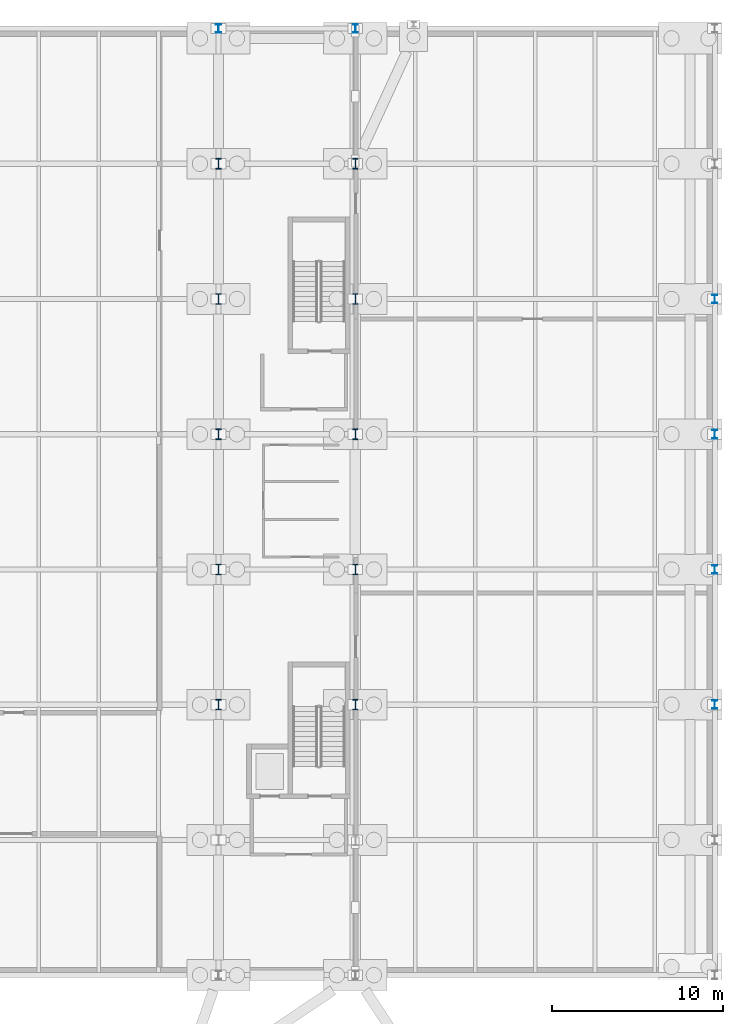
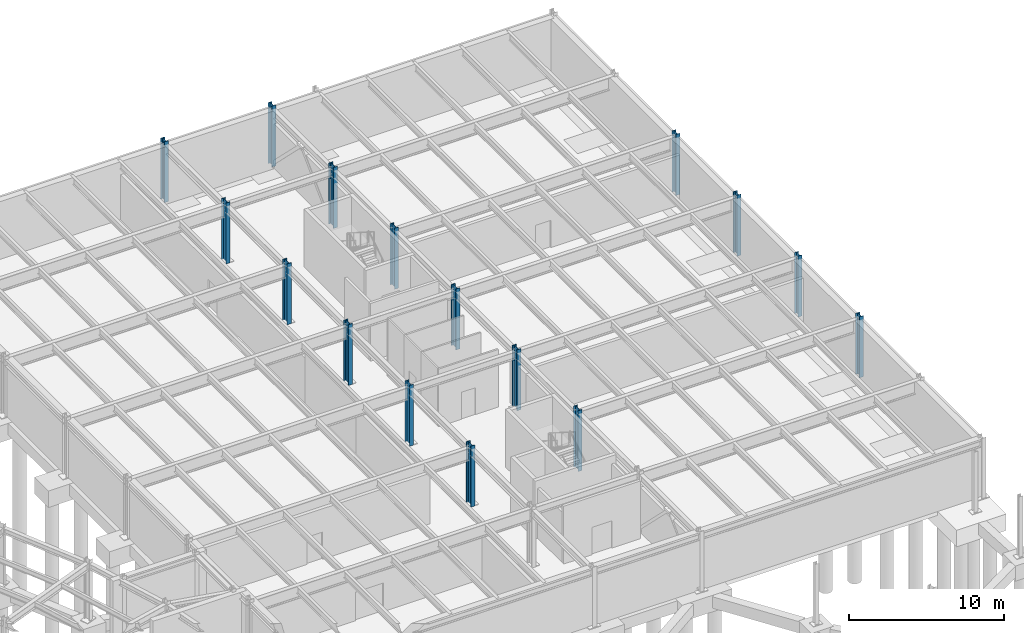
# One storey, part 26 of 50: 16 columns.
"""IFC4 building model written with IfcOpenShell, lengths in metres."""

from ifc_helpers import new_model, si_unit, direction, frame, origin, origin_2d, place, context, subcontext, project, spatial, i_section, extrude, material, material_profile, profile_set, type_object, element, save


model = new_model("IFC4")

# Units and contexts
model_context = context("Model", 3, precision=1e-05, world=origin(), true_north=direction((0.0, 1.0)))
body_context = subcontext(model_context, "Body", "Model", "MODEL_VIEW")
ifc_project = project(units=[si_unit("LENGTHUNIT", "METRE"), si_unit("AREAUNIT", "SQUARE_METRE"), si_unit("VOLUMEUNIT", "CUBIC_METRE"), si_unit("PLANEANGLEUNIT", "RADIAN"), si_unit("MASSUNIT", "GRAM", prefix="KILO")], contexts=[model_context])

# Site, building, storey
site_placement = place(None, origin())
site = spatial("IfcSite", under=ifc_project, at=site_placement, CompositionType="ELEMENT")
building_placement = place(site_placement, origin())
building = spatial("IfcBuilding", under=site, at=building_placement, Name="Varnklinge Art Gallery", CompositionType="ELEMENT")
storey_placement = place(building_placement, frame((0.0, 0.0, -4.800048828125)))
storey = spatial("IfcBuildingStorey", under=building, at=storey_placement, Name="B01", CompositionType="ELEMENT", Elevation=-4.800048828125)

# Columns
ifc_material_1 = material(Name="Steel S355", Category="steel")
ifc_material_profile_1 = material_profile(ifc_material_1, i_section(OverallWidth=0.304931640625, OverallDepth=0.6201171875, WebThickness=0.02099609375, FlangeThickness=0.0400390625, FilletRadius=0.027099609375, at=origin_2d()), Name="HEM 600")
ifc_profile_set_1 = profile_set([ifc_material_profile_1], Name="Steel S355")
column_type_1 = type_object("IfcColumnType", Name="COL-01", PredefinedType="COLUMN", material=ifc_profile_set_1)
for number, where, z_axis, x_axis, name in (
    (1, (135.39990234375, 74.0, 0.0), (0.0, 0.0, 1.0), (1.0, 0.0, 0.0), "B01 Column V1C-2-3"),
    (2, (135.39990234375, 81.89990234375, 0.0), (0.0, 0.0, 1.0), (1.0, 0.0, 0.0), "B01 Column V1C-2-4"),
    (3, (135.39990234375, 89.800048828125, 0.0), (0.0, 0.0, 1.0), (1.0, 0.0, 0.0), "B01 Column V1C-2-5"),
    (4, (135.39990234375, 97.699951171875, 0.0), (0.0, 0.0, 1.0), (1.0, 0.0, 0.0), "B01 Column V1C-2-6"),
    (5, (135.39990234375, 105.60009765625, 0.0), (0.0, 0.0, 1.0), (1.0, 0.0, 0.0), "B01 Column V1C-2-7"),
    (6, (143.39990234375, 74.0, 0.0), (0.0, 0.0, 1.0), (1.0, 0.0, 0.0), "B01 Column V1C-3-3"),
    (7, (143.39990234375, 81.89990234375, 0.0), (0.0, 0.0, 1.0), (1.0, 0.0, 0.0), "B01 Column V1C-3-4"),
    (8, (143.39990234375, 89.800048828125, 0.0), (0.0, 0.0, 1.0), (1.0, 0.0, 0.0), "B01 Column V1C-3-5"),
    (9, (143.39990234375, 97.699951171875, 0.0), (0.0, 0.0, 1.0), (1.0, 0.0, 0.0), "B01 Column V1C-3-6"),
    (10, (143.39990234375, 105.60009765625, 0.0), (0.0, 0.0, 1.0), (1.0, 0.0, 0.0), "B01 Column V1C-3-7"),
):
    element("IfcColumn", number, at=place(storey_placement, frame(where, z_axis=z_axis, x_axis=x_axis)), inside=storey, type_object=column_type_1, Name=name, PredefinedType="COLUMN", context=body_context, shape_type="SweptSolid", body=[
        extrude(i_section(OverallWidth=0.304931640625, OverallDepth=0.6201171875, WebThickness=0.02099609375, FlangeThickness=0.0400390625, FilletRadius=0.027099609375, at=origin_2d()), origin(), (0.0, 0.0, 1.0), 4.800048828125),
    ])
ifc_material_2 = material(Name="Steel S355", Category="steel")
ifc_material_profile_2 = material_profile(ifc_material_2, i_section(OverallWidth=0.300048828125, OverallDepth=0.5, WebThickness=0.014404296875, FlangeThickness=0.028076171875, FilletRadius=0.027099609375, at=origin_2d()), Name="HEB 500")
ifc_profile_set_2 = profile_set([ifc_material_profile_2], Name="Steel S355")
column_type_2 = type_object("IfcColumnType", Name="COL-E1", PredefinedType="COLUMN", material=ifc_profile_set_2)
for number, where, z_axis, x_axis, name in (
    (11, (135.39990234375, 113.5, 0.0), (0.0, 0.0, 1.0), (1.0, 0.0, 0.0), "B01 Column V1C-2-8"),
    (12, (143.39990234375, 113.5, 0.0), (0.0, 0.0, 1.0), (1.0, 0.0, 0.0), "B01 Column V1C-3-8"),
    (13, (164.39990234375, 74.0, 0.0), (0.0, 0.0, 1.0), (1.0, 0.0, 0.0), "B01 Column V1C-4-3"),
    (14, (164.39990234375, 81.89990234375, 0.0), (0.0, 0.0, 1.0), (1.0, 0.0, 0.0), "B01 Column V1C-4-4"),
    (15, (164.39990234375, 89.800048828125, 0.0), (0.0, 0.0, 1.0), (1.0, 0.0, 0.0), "B01 Column V1C-4-5"),
    (16, (164.39990234375, 97.699951171875, 0.0), (0.0, 0.0, 1.0), (1.0, 0.0, 0.0), "B01 Column V1C-4-6"),
):
    element("IfcColumn", number, at=place(storey_placement, frame(where, z_axis=z_axis, x_axis=x_axis)), inside=storey, type_object=column_type_2, Name=name, PredefinedType="COLUMN", context=body_context, shape_type="SweptSolid", body=[
        extrude(i_section(OverallWidth=0.300048828125, OverallDepth=0.5, WebThickness=0.014404296875, FlangeThickness=0.028076171875, FilletRadius=0.027099609375, at=origin_2d()), origin(), (0.0, 0.0, 1.0), 4.800048828125),
    ])

save(model, "model.ifc")
